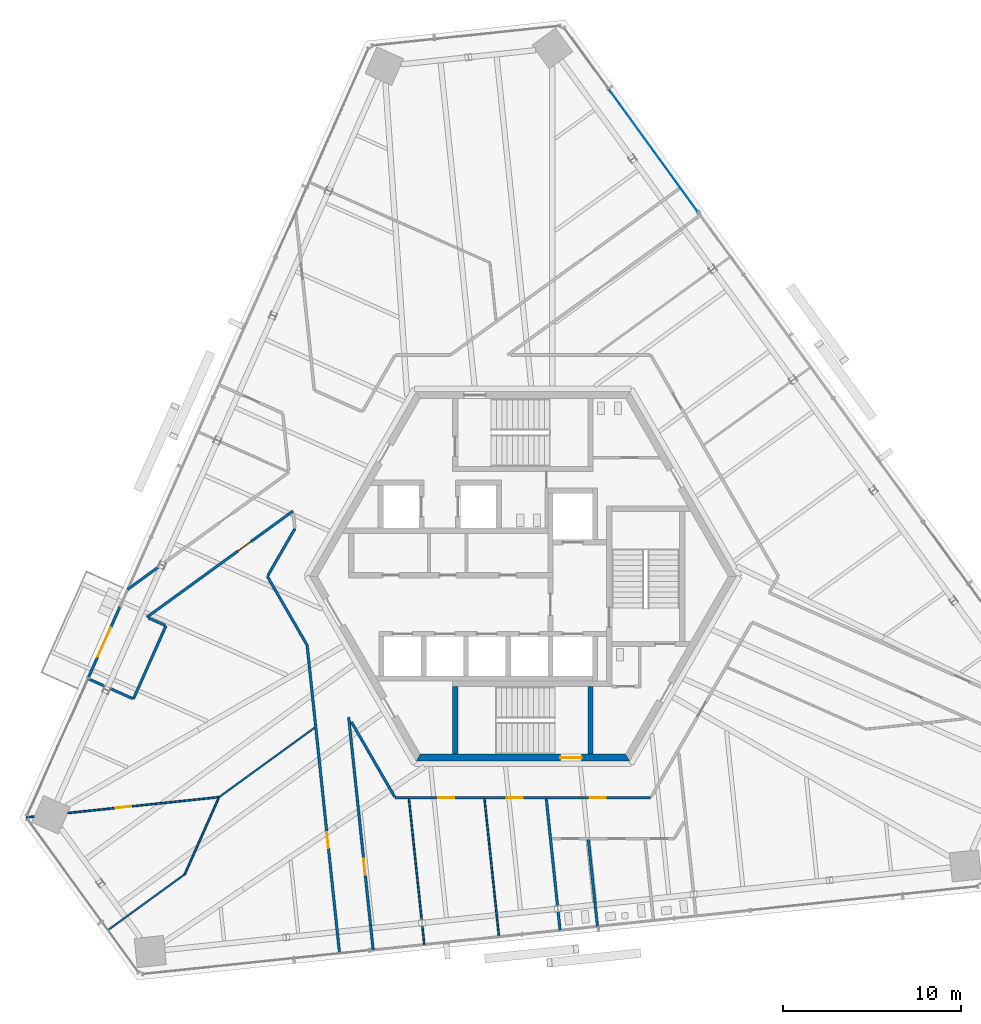
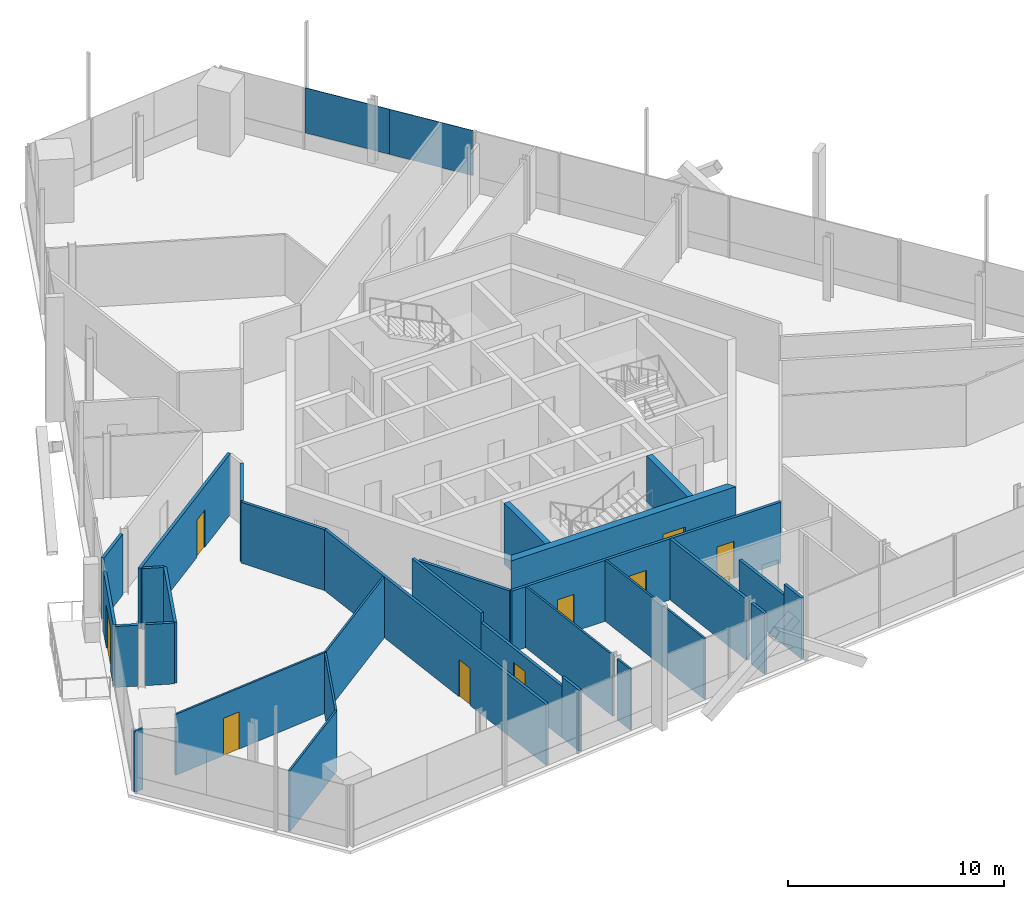
# One storey, part 10 of 20: 30 walls, 9 doors, 2 plates, 9 openings, 1 element without a shape of its own.
"""IFC4 building model written with IfcOpenShell, lengths in metres."""

import ifcopenshell
import ifcopenshell.guid

model = None  # the IFC model being written
_history = None  # IfcOwnerHistory: only IFC2X3 demands one
_inside = {}  # id of a spatial element -> (the spatial element, [elements in it])
_under = {}  # id of a project, library or spatial element -> (it, [spatial elements below it])
_declared = {}  # id of a project -> (the project, [libraries it declares])
_typed = {}  # id of a type object -> (the type object, [elements of that type])
_made_of = {}  # id of a material, layer set ... -> (it, [elements and type objects made of it])


def new_model(schema):
    """Start an empty IFC model of exactly this schema.

    Asked for "IFC4X3", IfcOpenShell would pick the latest addendum, in which some entities
    have other attributes; the version numbers below select the first issue.
    IFC2X3 requires an IfcOwnerHistory on every rooted entity: one is made here for all.
    """
    global model, _history
    if schema == "IFC4X3":
        model = ifcopenshell.file(schema_version=(4, 3, 0, 0))
    else:
        model = ifcopenshell.file(schema=schema)
    _inside.clear()
    _under.clear()
    _declared.clear()
    _typed.clear()
    _made_of.clear()
    _history = None
    if model.schema == "IFC2X3":
        org = make("IfcOrganization", Name="unknown")
        user = make(
            "IfcPersonAndOrganization",
            ThePerson=make("IfcPerson", FamilyName="unknown"),
            TheOrganization=org,
        )
        app = make(
            "IfcApplication",
            ApplicationDeveloper=org,
            Version="unknown",
            ApplicationFullName="unknown",
            ApplicationIdentifier="unknown",
        )
        _history = make(
            "IfcOwnerHistory",
            OwningUser=user,
            OwningApplication=app,
            ChangeAction="ADDED",
            CreationDate=0,
        )
    return model


def make(cls, **values):
    """One entity of the class cls with the attributes given. An attribute that is None is left unset."""
    return model.create_entity(
        cls, **{name: value for name, value in values.items() if value is not None}
    )


def rooted(cls, **values):
    """An entity with a GlobalId (a new one), such as an element, a storey or a relation."""
    return make(cls, GlobalId=ifcopenshell.guid.new(), OwnerHistory=_history, **values)


def si_unit(unit_type, name, prefix=None):
    """IfcSIUnit, for example si_unit("LENGTHUNIT", "METRE", prefix="MILLI")."""
    return make("IfcSIUnit", UnitType=unit_type, Prefix=prefix, Name=name)


def assignment(units):
    """IfcUnitAssignment: the units of a project."""
    return None if units is None else make("IfcUnitAssignment", Units=units)


def point(xyz):
    """IfcCartesianPoint."""
    return None if xyz is None else make("IfcCartesianPoint", Coordinates=xyz)


def direction(xyz):
    """IfcDirection."""
    return None if xyz is None else make("IfcDirection", DirectionRatios=xyz)


def frame(location, z_axis=None, x_axis=None):
    """IfcAxis2Placement3D, a coordinate frame: its origin and axes. An axis left out is left unset."""
    return make(
        "IfcAxis2Placement3D",
        Location=point(location),
        Axis=direction(z_axis),
        RefDirection=direction(x_axis),
    )


def frame_2d(location, x_axis=None):
    """IfcAxis2Placement2D, a coordinate frame in the plane: its origin and x axis."""
    return make(
        "IfcAxis2Placement2D", Location=point(location), RefDirection=direction(x_axis)
    )


def origin():
    """The frame at (0, 0, 0) with its axes left unset."""
    return frame((0.0, 0.0, 0.0))


def origin_2d():
    """The frame at (0, 0) in the plane with its x axis left unset."""
    return frame_2d((0.0, 0.0))


def place(relative_to, where):
    """IfcLocalPlacement: puts the frame where relative to a parent placement (None: the world)."""
    return make(
        "IfcLocalPlacement", PlacementRelTo=relative_to, RelativePlacement=where
    )


def context(
    kind, dimensions, precision=None, world=None, true_north=None, identifier=None
):
    """IfcGeometricRepresentationContext, for example the 3D "Model" context."""
    return make(
        "IfcGeometricRepresentationContext",
        ContextIdentifier=identifier,
        ContextType=kind,
        CoordinateSpaceDimension=dimensions,
        Precision=precision,
        WorldCoordinateSystem=world,
        TrueNorth=true_north,
    )


def subcontext(parent, identifier, kind, view, scale=None):
    """IfcGeometricRepresentationSubContext, for example "Body" below "Model"."""
    return make(
        "IfcGeometricRepresentationSubContext",
        ContextIdentifier=identifier,
        ContextType=kind,
        ParentContext=parent,
        TargetScale=scale,
        TargetView=view,
    )


def project(units=None, contexts=None):
    """IfcProject with its units and contexts."""
    return rooted(
        "IfcProject",
        Name="project",
        RepresentationContexts=contexts,
        UnitsInContext=assignment(units),
    )


def spatial(cls, under=None, at=None, **own):
    """A site, building, storey or space (cls), placed at a placement, below another one or the project."""
    s = rooted(cls, ObjectPlacement=at, **own)
    if under is not None:
        _under.setdefault(under.id(), (under, []))[1].append(s)
    return s


def polyline(points):
    """IfcPolyline through the points."""
    return make("IfcPolyline", Points=[point(p) for p in points])


def profile(cls, at=None, kind="AREA", **sizes):
    """A parametric profile (cls). Its sizes go by their IFC names, for example OverallWidth=200.0."""
    return make(cls, ProfileType=kind, Position=at, **sizes)


def rectangle(**sizes):
    """IfcRectangleProfileDef."""
    return profile("IfcRectangleProfileDef", **sizes)


def outline(outer, holes=None, kind="AREA"):
    """IfcArbitraryClosedProfileDef: a profile drawn as a closed curve; with holes, ...WithVoids."""
    if holes is None:
        return make("IfcArbitraryClosedProfileDef", ProfileType=kind, OuterCurve=outer)
    return make(
        "IfcArbitraryProfileDefWithVoids",
        ProfileType=kind,
        OuterCurve=outer,
        InnerCurves=holes,
    )


def extrude(swept, where, along, depth):
    """IfcExtrudedAreaSolid: the profile swept, set in the frame where, extruded along a direction by depth."""
    return make(
        "IfcExtrudedAreaSolid",
        SweptArea=swept,
        Position=where,
        ExtrudedDirection=direction(along),
        Depth=depth,
    )


def shape(context_of_items, identifier, shape_type, items):
    """IfcShapeRepresentation: the items that make up one representation, for example the "Body"."""
    return make(
        "IfcShapeRepresentation",
        ContextOfItems=context_of_items,
        RepresentationIdentifier=identifier,
        RepresentationType=shape_type,
        Items=items,
    )


def source(mapping_origin, context_of_items, identifier, shape_type, items):
    """IfcRepresentationMap: a shape defined once, which mapped items show again and again."""
    return make(
        "IfcRepresentationMap",
        MappingOrigin=mapping_origin,
        MappedRepresentation=shape(context_of_items, identifier, shape_type, items),
    )


def transform(
    local_origin,
    x_axis=None,
    y_axis=None,
    z_axis=None,
    scale=None,
    scale2=None,
    scale3=None,
    uniform=True,
):
    """IfcCartesianTransformationOperator3D, or its non-uniform kind. x_axis, y_axis, z_axis: its Axis1, 2, 3."""
    if uniform:
        return make(
            "IfcCartesianTransformationOperator3D",
            Axis1=direction(x_axis),
            Axis2=direction(y_axis),
            LocalOrigin=point(local_origin),
            Scale=scale,
            Axis3=direction(z_axis),
        )
    return make(
        "IfcCartesianTransformationOperator3DnonUniform",
        Axis1=direction(x_axis),
        Axis2=direction(y_axis),
        LocalOrigin=point(local_origin),
        Scale=scale,
        Axis3=direction(z_axis),
        Scale2=scale2,
        Scale3=scale3,
    )


def mapped(mapping_source, mapping_target):
    """IfcMappedItem: shows the shape of a source again, moved by a transform."""
    return make(
        "IfcMappedItem", MappingSource=mapping_source, MappingTarget=mapping_target
    )


def material(Name=None, Category=None):
    """IfcMaterial."""
    return make("IfcMaterial", Name=Name, Category=Category)


def layer(
    of_material, thickness, ventilated=None, Name=None, Category=None, Priority=None
):
    """IfcMaterialLayer: one layer of a wall or slab, of a material (None: an air gap)."""
    return make(
        "IfcMaterialLayer",
        Material=of_material,
        LayerThickness=thickness,
        IsVentilated=ventilated,
        Name=Name,
        Category=Category,
        Priority=Priority,
    )


def layer_set(layers, Name=None):
    """IfcMaterialLayerSet."""
    return make("IfcMaterialLayerSet", MaterialLayers=layers, LayerSetName=Name)


def made_of(thing, what):
    """Note that an element or type object is made of a material, layer set ...; save() writes the relation."""
    if what is not None:
        _made_of.setdefault(what.id(), (what, []))[1].append(thing)
    return thing


def type_object(cls, material=None, **own):
    """A type object (cls), such as IfcWallType, which elements share."""
    return made_of(rooted(cls, **own), material)


def element(
    cls,
    number,
    at=None,
    inside=None,
    cuts=None,
    type_object=None,
    material=None,
    context=None,
    identifier="Body",
    shape_type=None,
    held_by="IfcProductDefinitionShape",
    body=None,
    shapes=None,
    **own,
):
    """One element of the class cls, such as IfcWall. Its Tag is "e" and its number.

    at: its placement. inside: the storey or other place that contains it. cuts: it is an
    opening in that element (IfcRelVoidsElement). A single representation is given by context,
    identifier, shape_type and body (its items); several are given by shapes. held_by: the class
    of the entity that holds the representations. save() writes the other relations.
    """
    e = rooted(cls, Tag="e%d" % number, ObjectPlacement=at, **own)
    if body is not None:
        shapes = [shape(context, identifier, shape_type, body)]
    if shapes is not None:
        e.Representation = make(held_by, Representations=shapes)
    if inside is not None:
        _inside.setdefault(inside.id(), (inside, []))[1].append(e)
    if cuts is not None:
        rooted(
            "IfcRelVoidsElement", RelatingBuildingElement=cuts, RelatedOpeningElement=e
        )
    if type_object is not None:
        _typed.setdefault(type_object.id(), (type_object, []))[1].append(e)
    return made_of(e, material)


def fill(opening, filler):
    """IfcRelFillsElement: the door or window that sits in an opening."""
    return rooted(
        "IfcRelFillsElement",
        RelatingOpeningElement=opening,
        RelatedBuildingElement=filler,
    )


def aggregate(whole, parts):
    """IfcRelAggregates: a whole, such as a stair, and the parts it consists of."""
    return rooted("IfcRelAggregates", RelatingObject=whole, RelatedObjects=parts)


def save(model, path):
    """Write the relations noted so far, then the file.

    IfcRelAggregates (storeys below a building ...), IfcRelContainedInSpatialStructure (elements
    in a storey), IfcRelDefinesByType, IfcRelAssociatesMaterial and IfcRelDeclares: one each for
    every whole, place, type object, material and project.
    """
    for whole, parts in _under.values():
        aggregate(whole, parts)
    for where, things in _inside.values():
        rooted(
            "IfcRelContainedInSpatialStructure",
            RelatedElements=things,
            RelatingStructure=where,
        )
    for kind, things in _typed.values():
        rooted("IfcRelDefinesByType", RelatedObjects=things, RelatingType=kind)
    for what, things in _made_of.values():
        rooted("IfcRelAssociatesMaterial", RelatedObjects=things, RelatingMaterial=what)
    for by, libraries in _declared.values():
        rooted("IfcRelDeclares", RelatingContext=by, RelatedDefinitions=libraries)
    model.write(path)


model = new_model("IFC4")

# Units and contexts
model_context = context("Model", 3, precision=1e-05, world=origin(), true_north=direction((0.0, 1.0)))
body_context = subcontext(model_context, "Body", "Model", "MODEL_VIEW")
ifc_project = project(units=[si_unit("LENGTHUNIT", "METRE"), si_unit("AREAUNIT", "SQUARE_METRE"), si_unit("VOLUMEUNIT", "CUBIC_METRE"), si_unit("PLANEANGLEUNIT", "RADIAN"), si_unit("MASSUNIT", "GRAM", prefix="KILO")], contexts=[model_context])

# Site, building, storey
site_placement = place(None, origin())
site = spatial("IfcSite", under=ifc_project, at=site_placement, CompositionType="ELEMENT")
building_placement = place(site_placement, origin())
building = spatial("IfcBuilding", under=site, at=building_placement, Name="Triune Harvest Tower", CompositionType="ELEMENT")
storey_placement = place(building_placement, frame((0.0, 0.0, 234.10009765625)))
storey = spatial("IfcBuildingStorey", under=building, at=storey_placement, Name="L61", CompositionType="ELEMENT", Elevation=234.10009765625)

# Curtain wall, plates
ifc_material_1 = material(Name="Aluminium bronze anodised", Category="aluminium")
curtain_wall_type = type_object("IfcCurtainWallType", Name="CW-1 Tower stick curtain wall", PredefinedType="NOTDEFINED", material=ifc_material_1)
curtain_wall_placement = place(storey_placement, origin())
curtain_wall = element("IfcCurtainWall", 1, at=curtain_wall_placement, inside=storey, type_object=curtain_wall_type, Name="CW-1 B6-F1 L61 run 2001")
ifc_material_2 = material(Name="Glass", Category="glass")
ifc_layer_1 = layer(ifc_material_2, 0.031982421875)
ifc_layer_set_1 = layer_set([ifc_layer_1], Name="Glass")
plate_type = type_object("IfcPlateType", Name="GL-1 panel 32", PredefinedType="CURTAIN_PANEL", material=ifc_layer_set_1)
shared_shape_1 = source(origin(), body_context, "Body", "SweptSolid", [
    extrude(rectangle(XDim=4.22509765625, YDim=0.031982421875, at=origin_2d()), origin(), (0.0, 0.0, 1.0), 2.5400390625),
])
plate_1_placement = place(storey_placement, frame((8.57861328125, 22.224365234375, 0.89990234375), z_axis=(0.0, 0.0, 1.0), x_axis=(-0.587786226785, 0.809016286364, 0.0)))
plate_1 = element("IfcPlate", 2, at=plate_1_placement, type_object=plate_type, Name="CW-1 panel B6-F1 2001.1", PredefinedType="CURTAIN_PANEL", context=body_context, shape_type="MappedRepresentation", body=[
    mapped(shared_shape_1, transform((0.0, 0.0, 0.0), scale=1.0)),
])
shared_shape_2 = source(origin(), body_context, "Body", "SweptSolid", [
    extrude(rectangle(XDim=4.262451171875, YDim=0.031982421875, at=origin_2d()), origin(), (0.0, 0.0, 1.0), 2.5400390625),
])
plate_2_placement = place(storey_placement, frame((6.084228515625, 25.65771484375, 0.89990234375), z_axis=(0.0, 0.0, 1.0), x_axis=(-0.587786226785, 0.809016286364, 0.0)))
plate_2 = element("IfcPlate", 3, at=plate_2_placement, type_object=plate_type, Name="CW-1 panel B6-F1 2001.2", PredefinedType="CURTAIN_PANEL", context=body_context, shape_type="MappedRepresentation", body=[
    mapped(shared_shape_2, transform((0.0, 0.0, 0.0), scale=1.0)),
])
aggregate(curtain_wall, [plate_1, plate_2])

# Wall, opening, door
ifc_material_3 = material(Name="Gypsum board on steel studs", Category="steel")
ifc_layer_2 = layer(ifc_material_3, 0.14990234375)
ifc_layer_set_2 = layer_set([ifc_layer_2], Name="Gypsum board on steel studs")
wall_type_1 = type_object("IfcWallType", Name="Fire Partition 150 mm", PredefinedType="PARTITIONING", material=ifc_layer_set_2)
wall_1_placement = place(storey_placement, frame((-9.226806640625, -13.32666015625, 0.0), z_axis=(0.0, 0.0, 1.0), x_axis=(0.104560626719, -0.994518514327, 0.0)))
wall_1 = element("IfcWall", 4, at=wall_1_placement, inside=storey, type_object=wall_type_1, Name="Partition L61 005a", PredefinedType="PARTITIONING", context=body_context, shape_type="SweptSolid", body=[
    extrude(rectangle(XDim=6.34619140625, YDim=0.14990234375, at=frame_2d((3.173095703125, 0.0))), origin(), (0.0, 0.0, 1.0), 2.90380859375),
])
opening_1_placement = place(wall_1_placement, frame((2.564453125, 0.0, 0.0)))
opening_1 = element("IfcOpeningElement", 5, at=opening_1_placement, cuts=wall_1, Name="Opening L61-012", PredefinedType="OPENING", context=body_context, shape_type="SweptSolid", body=[
    extrude(rectangle(XDim=0.89990234375, YDim=2.10009765625, at=frame_2d((0.449951171875, 1.050048828125))), frame((0.0, 0.0849609375, 0.0), z_axis=(0.0, -1.0, 0.0), x_axis=(1.0, 0.0, 0.0)), (0.0, 0.0, 1.0), 0.169921875),
])
ifc_material_4 = material(Name="Timber and steel door set", Category="steel")
door_type_1 = type_object("IfcDoorType", Name="Single leaf door FD30 right hand 900 x 2100", OperationType="SINGLE_SWING_RIGHT", PredefinedType="DOOR", material=ifc_material_4)
door_1_placement = place(opening_1_placement, origin())
door_1 = element("IfcDoor", 6, at=door_1_placement, inside=storey, type_object=door_type_1, Name="Door L61-012 Meeting Room 61.12", OperationType="SINGLE_SWING_RIGHT", OverallHeight=2.10009765625, OverallWidth=0.89990234375, PredefinedType="DOOR", context=body_context, shape_type="SweptSolid", body=[
    extrude(rectangle(XDim=0.89990234375, YDim=2.10009765625, at=frame_2d((0.449951171875, 1.050048828125))), frame((0.0, 0.02490234375, 0.0), z_axis=(0.0, -1.0, 0.0), x_axis=(1.0, 0.0, 0.0)), (0.0, 0.0, 1.0), 0.050048828125),
])
fill(opening_1, door_1)

# Walls
wall_2_placement = place(storey_placement, frame((1.314208984375, -12.501953125, 0.0), z_axis=(0.0, 0.0, 1.0), x_axis=(0.104489400803, -0.994526000223, 0.0)))
element("IfcWall", 7, at=wall_2_placement, inside=storey, type_object=wall_type_1, Name="Partition L61 010", PredefinedType="PARTITIONING", context=body_context, shape_type="SweptSolid", body=[
    extrude(rectangle(XDim=6.04931640625, YDim=0.14990234375, at=frame_2d((3.024658203125, 0.0))), origin(), (0.0, 0.0, 1.0), 3.43994140625),
])
wall_3_placement = place(storey_placement, frame((3.67919921875, -14.802001953125, 0.0), z_axis=(0.0, 0.0, 1.0), x_axis=(0.104501176413, -0.994524762954, 0.0)))
element("IfcWall", 8, at=wall_3_placement, inside=storey, type_object=wall_type_1, Name="Partition L61 012", PredefinedType="PARTITIONING", context=body_context, shape_type="SweptSolid", body=[
    extrude(rectangle(XDim=3.530029296875, YDim=0.14990234375, at=frame_2d((1.76513671875, 0.0))), origin(), (0.0, 0.0, 1.0), 2.82763671875),
])
wall_4_placement = place(storey_placement, frame((-21.04345703125, -2.342529296875, 0.0), z_axis=(0.0, 0.0, 1.0), x_axis=(0.913534412434, -0.406761450115, 0.0)))
element("IfcWall", 9, at=wall_4_placement, inside=storey, type_object=wall_type_1, Name="Partition L61 021", PredefinedType="PARTITIONING", context=body_context, shape_type="SweptSolid", body=[
    extrude(rectangle(XDim=1.01806640625, YDim=0.14990234375, at=frame_2d((0.509033203125, 0.0))), origin(), (0.0, 0.0, 1.0), 3.43994140625),
])

# Wall, opening, door
wall_5_placement = place(storey_placement, frame((-21.14404296875, -2.2978515625, 0.0), z_axis=(0.0, 0.0, 1.0), x_axis=(0.809016541614, 0.587785875463, 0.0)))
wall_5 = element("IfcWall", 10, at=wall_5_placement, inside=storey, type_object=wall_type_1, Name="Partition L61 044", PredefinedType="PARTITIONING", context=body_context, shape_type="SweptSolid", body=[
    extrude(rectangle(XDim=10.160400390625, YDim=0.14990234375, at=frame_2d((5.080078125, 0.0))), origin(), (0.0, 0.0, 1.0), 3.43994140625),
])
opening_2_placement = place(wall_5_placement, frame((6.3369140625, 0.0, 0.0)))
opening_2 = element("IfcOpeningElement", 11, at=opening_2_placement, cuts=wall_5, Name="Opening L61-008", PredefinedType="OPENING", context=body_context, shape_type="SweptSolid", body=[
    extrude(rectangle(XDim=0.89990234375, YDim=2.10009765625, at=frame_2d((0.449951171875, 1.050048828125))), frame((0.0, 0.0849609375, 0.0), z_axis=(0.0, -1.0, 0.0), x_axis=(1.0, 0.0, 0.0)), (0.0, 0.0, 1.0), 0.169921875),
])
ifc_material_5 = material(Name="Timber and steel door set", Category="steel")
door_type_2 = type_object("IfcDoorType", Name="Single leaf door FD30 left hand 900 x 2100", OperationType="SINGLE_SWING_LEFT", PredefinedType="DOOR", material=ifc_material_5)
door_2_placement = place(opening_2_placement, origin())
door_2 = element("IfcDoor", 12, at=door_2_placement, inside=storey, type_object=door_type_2, Name="Door L61-008 Open Office 61.08", OperationType="SINGLE_SWING_LEFT", OverallHeight=2.10009765625, OverallWidth=0.89990234375, PredefinedType="DOOR", context=body_context, shape_type="SweptSolid", body=[
    extrude(rectangle(XDim=0.89990234375, YDim=2.10009765625, at=frame_2d((0.449951171875, 1.050048828125))), frame((0.0, 0.02490234375, 0.0), z_axis=(0.0, -1.0, 0.0), x_axis=(1.0, 0.0, 0.0)), (0.0, 0.0, 1.0), 0.050048828125),
])
fill(opening_2, door_2)

# Walls
wall_6_placement = place(storey_placement, frame((-21.898193359375, -6.8876953125, 0.0), z_axis=(0.0, 0.0, 1.0), x_axis=(0.406747482715, 0.913540631447, 0.0)))
element("IfcWall", 13, at=wall_6_placement, inside=storey, type_object=wall_type_1, Name="Partition L61 055", PredefinedType="PARTITIONING", context=body_context, shape_type="SweptSolid", body=[
    extrude(rectangle(XDim=4.5, YDim=0.14990234375, at=frame_2d((2.25, 0.0))), origin(), (0.0, 0.0, 1.0), 3.43994140625),
])
ifc_material_6 = material(Name="Gypsum board on steel studs", Category="steel")
ifc_layer_3 = layer(ifc_material_6, 0.10009765625)
ifc_layer_set_3 = layer_set([ifc_layer_3], Name="Gypsum board on steel studs")
wall_type_2 = type_object("IfcWallType", Name="Partition 100 mm", PredefinedType="PARTITIONING", material=ifc_layer_set_3)
wall_7_placement = place(storey_placement, frame((-2.16064453125, -12.501953125, 0.0), z_axis=(0.0, 0.0, 1.0), x_axis=(0.104503832311, -0.994524483878, 0.0)))
element("IfcWall", 14, at=wall_7_placement, inside=storey, type_object=wall_type_2, Name="Partition L61 008", PredefinedType="PARTITIONING", context=body_context, shape_type="SweptSolid", body=[
    extrude(rectangle(XDim=7.7958984375, YDim=0.10009765625, at=frame_2d((3.89794921875, 0.0))), origin(), (0.0, 0.0, 1.0), 3.43994140625),
])
wall_8_placement = place(storey_placement, frame((-23.328125, -19.885498046875, 0.0), z_axis=(0.0, 0.0, 1.0), x_axis=(0.809025134108, 0.587774048748, 0.0)))
element("IfcWall", 15, at=wall_8_placement, inside=storey, type_object=wall_type_2, Name="Partition L61 038", PredefinedType="PARTITIONING", context=body_context, shape_type="SweptSolid", body=[
    extrude(rectangle(XDim=5.330810546875, YDim=0.10009765625, at=frame_2d((2.66552734375, 0.0))), origin(), (0.0, 0.0, 1.0), 3.43994140625),
])
wall_9_placement = place(storey_placement, frame((-19.011474609375, -16.7431640625, 0.0), z_axis=(0.0, 0.0, 1.0), x_axis=(0.406734783036, 0.913546285783, 0.0)))
element("IfcWall", 16, at=wall_9_placement, inside=storey, type_object=wall_type_2, Name="Partition L61 054", PredefinedType="PARTITIONING", context=body_context, shape_type="SweptSolid", body=[
    extrude(rectangle(XDim=4.671630859375, YDim=0.10009765625, at=frame_2d((2.3359375, 0.0))), origin(), (0.0, 0.0, 1.0), 3.43994140625),
])

# Wall, opening, door
ifc_material_7 = material(Name="Concrete 70 MPa", Category="concrete")
ifc_layer_4 = layer(ifc_material_7, 0.39990234375)
ifc_layer_set_4 = layer_set([ifc_layer_4], Name="Concrete 70 MPa")
wall_type_3 = type_object("IfcWallType", Name="Core wall 400", PredefinedType="SHEAR", material=ifc_layer_set_4)
shared_shape_3 = source(origin(), body_context, "Body", "SweptSolid", [
    extrude(outline(polyline([(-0.115478515625, -0.199951171875), (11.884521484375, -0.199951171875), (11.653564453125, 0.199951171875), (0.115478515625, 0.199951171875), (-0.115478515625, -0.199951171875)])), origin(), (0.0, 0.0, 1.0), 3.43994140625),
])
wall_10_placement = place(storey_placement, frame((-5.884521484375, -10.1923828125, 0.0), z_axis=(0.0, 0.0, 1.0), x_axis=(1.0, 0.0, 0.0)))
wall_10 = element("IfcWall", 17, at=wall_10_placement, inside=storey, type_object=wall_type_3, Name="Hexagon 4 wall", PredefinedType="SHEAR", context=body_context, shape_type="MappedRepresentation", body=[
    mapped(shared_shape_3, transform((0.0, 0.0, 0.0), scale=1.0)),
])
opening_3_placement = place(wall_10_placement, frame((7.984619140625, 0.0, 0.0)))
opening_3 = element("IfcOpeningElement", 18, at=opening_3_placement, cuts=wall_10, Name="Opening CD-S2P", PredefinedType="OPENING", context=body_context, shape_type="SweptSolid", body=[
    extrude(rectangle(XDim=1.199951171875, YDim=2.10009765625, at=frame_2d((0.60009765625, 1.050048828125))), frame((0.0, 0.2099609375, 0.0), z_axis=(0.0, -1.0, 0.0), x_axis=(1.0, 0.0, 0.0)), (0.0, 0.0, 1.0), 0.419921875),
])
ifc_material_8 = material(Name="Steel S235", Category="steel")
door_type_3 = type_object("IfcDoorType", Name="Stair door 1200 FD120", OperationType="SINGLE_SWING_LEFT", PredefinedType="DOOR", material=ifc_material_8)
door_3_placement = place(opening_3_placement, frame((1.199951171875, 0.0, 0.0), z_axis=(0.0, 0.0, 1.0), x_axis=(-1.0, 0.0, 0.0)))
door_3 = element("IfcDoor", 19, at=door_3_placement, inside=storey, type_object=door_type_3, Name="Door CD-S2P", OperationType="SINGLE_SWING_RIGHT", OverallHeight=2.10009765625, OverallWidth=1.199951171875, PredefinedType="DOOR", context=body_context, shape_type="SweptSolid", body=[
    extrude(rectangle(XDim=1.199951171875, YDim=2.10009765625, at=frame_2d((0.60009765625, 1.050048828125))), frame((0.0, 0.02490234375, 0.0), z_axis=(0.0, -1.0, 0.0), x_axis=(1.0, 0.0, 0.0)), (0.0, 0.0, 1.0), 0.050048828125),
])
fill(opening_3, door_3)

# Walls
ifc_material_9 = material(Name="Concrete 70 MPa", Category="concrete")
ifc_layer_5 = layer(ifc_material_9, 0.300048828125)
ifc_layer_set_5 = layer_set([ifc_layer_5], Name="Concrete 70 MPa")
wall_type_4 = type_object("IfcWallType", Name="Core wall 300", PredefinedType="SHEAR", material=ifc_layer_set_5)
shared_shape_4 = source(origin(), body_context, "Body", "SweptSolid", [
    extrude(outline(polyline([(3.800048828125, -0.14990234375), (-0.00439453125, -0.14990234375), (-0.00439453125, 0.14990234375), (3.800048828125, 0.14990234375), (3.800048828125, -0.14990234375)])), origin(), (0.0, 0.0, 1.0), 3.43994140625),
])
for number, where, z_axis, x_axis, name in (
    (20, (-3.800048828125, -9.989990234375, 0.0), (0.0, 0.0, 1.0), (0.0, 1.0, 0.0), "Stair s west wall"),
    (21, (3.800048828125, -9.989990234375, 0.0), (0.0, 0.0, 1.0), (0.0, 1.0, 0.0), "Stair s east wall"),
):
    element("IfcWall", number, at=place(storey_placement, frame(where, z_axis=z_axis, x_axis=x_axis)), inside=storey, type_object=wall_type_4, Name=name, PredefinedType="SHEAR", context=body_context, shape_type="MappedRepresentation", body=[
        mapped(shared_shape_4, transform((0.0, 0.0, 0.0), scale=1.0)),
    ])

# Wall, opening, door
ifc_material_10 = material(Name="Aluminium bronze anodised", Category="aluminium")
ifc_layer_6 = layer(ifc_material_10, 0.14990234375)
ifc_layer_set_6 = layer_set([ifc_layer_6], Name="Aluminium bronze anodised")
wall_type_5 = type_object("IfcWallType", Name="WW-2 balcony window wall", PredefinedType="ELEMENTEDWALL", material=ifc_layer_set_6)
shared_shape_5 = source(origin(), body_context, "Body", "SweptSolid", [
    extrude(rectangle(XDim=4.31640625, YDim=0.14990234375, at=frame_2d((2.158203125, 0.0))), origin(), (0.0, 0.0, 1.0), 3.43994140625),
])
wall_11_placement = place(storey_placement, frame((-24.4189453125, -5.6650390625, 0.0), z_axis=(0.0, 0.0, 1.0), x_axis=(0.406789109961, 0.913522096075, 0.0)))
wall_11 = element("IfcWall", 22, at=wall_11_placement, inside=storey, type_object=wall_type_5, Name="WW-2 B6-F3 L61.9", PredefinedType="ELEMENTEDWALL", context=body_context, shape_type="MappedRepresentation", body=[
    mapped(shared_shape_5, transform((0.0, 0.0, 0.0), scale=1.0)),
])
opening_4_placement = place(wall_11_placement, frame((1.25830078125, 0.0, 0.0)))
opening_4 = element("IfcOpeningElement", 23, at=opening_4_placement, cuts=wall_11, Name="Opening L61-E01", PredefinedType="OPENING", context=body_context, shape_type="SweptSolid", body=[
    extrude(rectangle(XDim=1.800048828125, YDim=2.39990234375, at=frame_2d((0.89990234375, 1.199951171875))), frame((0.0, 0.0849609375, 0.0), z_axis=(0.0, -1.0, 0.0), x_axis=(1.0, 0.0, 0.0)), (0.0, 0.0, 1.0), 0.169921875),
])
ifc_material_11 = material(Name="Glass", Category="glass")
door_type_4 = type_object("IfcDoorType", Name="DB-1 balcony door 1800 x 2400", OperationType="DOUBLE_DOOR_SINGLE_SWING", PredefinedType="DOOR", material=ifc_material_11)
door_4_placement = place(opening_4_placement, origin())
door_4 = element("IfcDoor", 24, at=door_4_placement, inside=storey, type_object=door_type_4, Name="Door L61-E01", OperationType="DOUBLE_DOOR_SINGLE_SWING", OverallHeight=2.39990234375, OverallWidth=1.800048828125, PredefinedType="DOOR", context=body_context, shape_type="SweptSolid", body=[
    extrude(rectangle(XDim=1.800048828125, YDim=2.39990234375, at=frame_2d((0.89990234375, 1.199951171875))), frame((0.0, 0.02490234375, 0.0), z_axis=(0.0, -1.0, 0.0), x_axis=(1.0, 0.0, 0.0)), (0.0, 0.0, 1.0), 0.050048828125),
])
fill(opening_4, door_4)

# Wall, openings, doors
shared_shape_6 = source(origin(), body_context, "Body", "SweptSolid", [
    extrude(rectangle(XDim=14.3671875, YDim=0.14990234375, at=frame_2d((7.18359375, 0.0))), origin(), (0.0, 0.0, 1.0), 3.43994140625),
])
wall_12_placement = place(storey_placement, frame((-7.18359375, -12.4423828125, 0.0), z_axis=(0.0, 0.0, 1.0), x_axis=(1.0, 0.0, 0.0)))
wall_12 = element("IfcWall", 25, at=wall_12_placement, inside=storey, type_object=wall_type_1, Name="Partition L61 032", PredefinedType="PARTITIONING", context=body_context, shape_type="MappedRepresentation", body=[
    mapped(shared_shape_6, transform((0.0, 0.0, 0.0), scale=1.0)),
])
opening_5_placement = place(wall_12_placement, frame((2.419677734375, 0.0, 0.0)))
opening_5 = element("IfcOpeningElement", 26, at=opening_5_placement, cuts=wall_12, Name="Opening L61-013", PredefinedType="OPENING", context=body_context, shape_type="SweptSolid", body=[
    extrude(rectangle(XDim=0.89990234375, YDim=2.10009765625, at=frame_2d((0.449951171875, 1.050048828125))), frame((0.0, 0.0849609375, 0.0), z_axis=(0.0, -1.0, 0.0), x_axis=(1.0, 0.0, 0.0)), (0.0, 0.0, 1.0), 0.169921875),
])
opening_6_placement = place(wall_12_placement, frame((6.2666015625, 0.0, 0.0)))
opening_6 = element("IfcOpeningElement", 27, at=opening_6_placement, cuts=wall_12, Name="Opening L61-014", PredefinedType="OPENING", context=body_context, shape_type="SweptSolid", body=[
    extrude(rectangle(XDim=0.89990234375, YDim=2.10009765625, at=frame_2d((0.449951171875, 1.050048828125))), frame((0.0, 0.0849609375, 0.0), z_axis=(0.0, -1.0, 0.0), x_axis=(1.0, 0.0, 0.0)), (0.0, 0.0, 1.0), 0.169921875),
])
opening_7_placement = place(wall_12_placement, frame((10.94140625, 0.0, 0.0)))
opening_7 = element("IfcOpeningElement", 28, at=opening_7_placement, cuts=wall_12, Name="Opening L61-015", PredefinedType="OPENING", context=body_context, shape_type="SweptSolid", body=[
    extrude(rectangle(XDim=0.89990234375, YDim=2.10009765625, at=frame_2d((0.449951171875, 1.050048828125))), frame((0.0, 0.0849609375, 0.0), z_axis=(0.0, -1.0, 0.0), x_axis=(1.0, 0.0, 0.0)), (0.0, 0.0, 1.0), 0.169921875),
])
door_5_placement = place(opening_7_placement, origin())
door_5 = element("IfcDoor", 29, at=door_5_placement, inside=storey, type_object=door_type_2, Name="Door L61-015 WC lobby 61.15", OperationType="SINGLE_SWING_LEFT", OverallHeight=2.10009765625, OverallWidth=0.89990234375, PredefinedType="DOOR", context=body_context, shape_type="SweptSolid", body=[
    extrude(rectangle(XDim=0.89990234375, YDim=2.10009765625, at=frame_2d((0.449951171875, 1.050048828125))), frame((0.0, 0.02490234375, 0.0), z_axis=(0.0, -1.0, 0.0), x_axis=(1.0, 0.0, 0.0)), (0.0, 0.0, 1.0), 0.050048828125),
])
fill(opening_7, door_5)
door_6_placement = place(opening_5_placement, origin())
door_6 = element("IfcDoor", 30, at=door_6_placement, inside=storey, type_object=door_type_1, Name="Door L61-013 Office 61.13", OperationType="SINGLE_SWING_RIGHT", OverallHeight=2.10009765625, OverallWidth=0.89990234375, PredefinedType="DOOR", context=body_context, shape_type="SweptSolid", body=[
    extrude(rectangle(XDim=0.89990234375, YDim=2.10009765625, at=frame_2d((0.449951171875, 1.050048828125))), frame((0.0, 0.02490234375, 0.0), z_axis=(0.0, -1.0, 0.0), x_axis=(1.0, 0.0, 0.0)), (0.0, 0.0, 1.0), 0.050048828125),
])
fill(opening_5, door_6)
door_7_placement = place(opening_6_placement, origin())
door_7 = element("IfcDoor", 31, at=door_7_placement, inside=storey, type_object=door_type_1, Name="Door L61-014 Office 61.14", OperationType="SINGLE_SWING_RIGHT", OverallHeight=2.10009765625, OverallWidth=0.89990234375, PredefinedType="DOOR", context=body_context, shape_type="SweptSolid", body=[
    extrude(rectangle(XDim=0.89990234375, YDim=2.10009765625, at=frame_2d((0.449951171875, 1.050048828125))), frame((0.0, 0.02490234375, 0.0), z_axis=(0.0, -1.0, 0.0), x_axis=(1.0, 0.0, 0.0)), (0.0, 0.0, 1.0), 0.050048828125),
])
fill(opening_6, door_7)

# Walls
shared_shape_7 = source(origin(), body_context, "Body", "SweptSolid", [
    extrude(rectangle(XDim=1.0478515625, YDim=0.10009765625, at=frame_2d((0.52392578125, 0.0))), origin(), (0.0, 0.0, 1.0), 3.43994140625),
])
wall_13_placement = place(storey_placement, frame((-5.656005859375, -19.654541015625, 0.0), z_axis=(0.0, 0.0, 1.0), x_axis=(0.104624136351, -0.994511835069, 0.0)))
element("IfcWall", 32, at=wall_13_placement, inside=storey, type_object=wall_type_2, Name="Partition L61 007", PredefinedType="PARTITIONING", context=body_context, shape_type="MappedRepresentation", body=[
    mapped(shared_shape_7, transform((0.0, 0.0, 0.0), scale=1.0)),
])
shared_shape_8 = source(origin(), body_context, "Body", "SweptSolid", [
    extrude(rectangle(XDim=1.047607421875, YDim=0.14990234375, at=frame_2d((0.52392578125, 0.0))), origin(), (0.0, 0.0, 1.0), 3.43994140625),
])
wall_14_placement = place(storey_placement, frame((-24.4560546875, -5.7490234375, 0.0), z_axis=(0.0, 0.0, 1.0), x_axis=(0.91357112701, -0.406678983835, 0.0)))
element("IfcWall", 33, at=wall_14_placement, inside=storey, type_object=wall_type_1, Name="Partition L61 019", PredefinedType="PARTITIONING", context=body_context, shape_type="MappedRepresentation", body=[
    mapped(shared_shape_8, transform((0.0, 0.0, 0.0), scale=1.0)),
])
shared_shape_9 = source(origin(), body_context, "Body", "SweptSolid", [
    extrude(rectangle(XDim=1.0478515625, YDim=0.14990234375, at=frame_2d((0.52392578125, 0.0))), origin(), (0.0, 0.0, 1.0), 3.43994140625),
])
wall_15_placement = place(storey_placement, frame((1.9814453125, -18.851806640625, 0.0), z_axis=(0.0, 0.0, 1.0), x_axis=(0.104624136351, -0.994511835069, 0.0)))
element("IfcWall", 34, at=wall_15_placement, inside=storey, type_object=wall_type_1, Name="Partition L61 011", PredefinedType="PARTITIONING", context=body_context, shape_type="MappedRepresentation", body=[
    mapped(shared_shape_9, transform((0.0, 0.0, 0.0), scale=1.0)),
])

# Wall, opening, door
shared_shape_10 = source(origin(), body_context, "Body", "SweptSolid", [
    extrude(rectangle(XDim=17.4189453125, YDim=0.14990234375, at=frame_2d((8.70947265625, 0.0))), origin(), (0.0, 0.0, 1.0), 3.43994140625),
])
wall_16_placement = place(storey_placement, frame((-12.130859375, -3.87353515625, 0.0), z_axis=(0.0, 0.0, 1.0), x_axis=(0.104516247132, -0.99452317926, 0.0)))
wall_16 = element("IfcWall", 35, at=wall_16_placement, inside=storey, type_object=wall_type_1, Name="Partition L61 003", PredefinedType="PARTITIONING", context=body_context, shape_type="MappedRepresentation", body=[
    mapped(shared_shape_10, transform((0.0, 0.0, 0.0), scale=1.0)),
])
opening_8_placement = place(wall_16_placement, frame((10.564697265625, 0.0, 0.0)))
opening_8 = element("IfcOpeningElement", 36, at=opening_8_placement, cuts=wall_16, Name="Opening L61-011", PredefinedType="OPENING", context=body_context, shape_type="SweptSolid", body=[
    extrude(rectangle(XDim=0.89990234375, YDim=2.10009765625, at=frame_2d((0.449951171875, 1.050048828125))), frame((0.0, 0.0849609375, 0.0), z_axis=(0.0, -1.0, 0.0), x_axis=(1.0, 0.0, 0.0)), (0.0, 0.0, 1.0), 0.169921875),
])
door_8_placement = place(opening_8_placement, origin())
door_8 = element("IfcDoor", 37, at=door_8_placement, inside=storey, type_object=door_type_2, Name="Door L61-011 Office 61.11", OperationType="SINGLE_SWING_LEFT", OverallHeight=2.10009765625, OverallWidth=0.89990234375, PredefinedType="DOOR", context=body_context, shape_type="SweptSolid", body=[
    extrude(rectangle(XDim=0.89990234375, YDim=2.10009765625, at=frame_2d((0.449951171875, 1.050048828125))), frame((0.0, 0.02490234375, 0.0), z_axis=(0.0, -1.0, 0.0), x_axis=(1.0, 0.0, 0.0)), (0.0, 0.0, 1.0), 0.050048828125),
])
fill(opening_8, door_8)

# Walls
shared_shape_11 = source(origin(), body_context, "Body", "SweptSolid", [
    extrude(rectangle(XDim=5.437255859375, YDim=0.14990234375, at=frame_2d((2.71875, 0.0))), origin(), (0.0, 0.0, 1.0), 3.43994140625),
])
wall_17_placement = place(storey_placement, frame((-9.794921875, -7.919189453125, 0.0), z_axis=(0.0, 0.0, 1.0), x_axis=(0.104486108065, -0.994526346168, 0.0)))
element("IfcWall", 38, at=wall_17_placement, inside=storey, type_object=wall_type_1, Name="Partition L61 005", PredefinedType="PARTITIONING", context=body_context, shape_type="MappedRepresentation", body=[
    mapped(shared_shape_11, transform((0.0, 0.0, 0.0), scale=1.0)),
])
shared_shape_12 = source(origin(), body_context, "Body", "SweptSolid", [
    extrude(rectangle(XDim=1.3681640625, YDim=0.14990234375, at=frame_2d((0.68408203125, 0.0))), origin(), (0.0, 0.0, 1.0), 3.43994140625),
])
wall_18_placement = place(storey_placement, frame((-8.563232421875, -19.63818359375, 0.0), z_axis=(0.0, 0.0, 1.0), x_axis=(0.1043968058, -0.994535724315, 0.0)))
element("IfcWall", 39, at=wall_18_placement, inside=storey, type_object=wall_type_1, Name="Partition L61 005b", PredefinedType="PARTITIONING", context=body_context, shape_type="MappedRepresentation", body=[
    mapped(shared_shape_12, transform((0.0, 0.0, 0.0), scale=1.0)),
])
shared_shape_13 = source(origin(), body_context, "Body", "SweptSolid", [
    extrude(rectangle(XDim=6.8564453125, YDim=0.10009765625, at=frame_2d((3.42822265625, 0.0))), origin(), (0.0, 0.0, 1.0), 3.43994140625),
])
wall_19_placement = place(storey_placement, frame((-6.40771484375, -12.501953125, 0.0), z_axis=(0.0, 0.0, 1.0), x_axis=(0.104543913948, -0.994520271315, 0.0)))
element("IfcWall", 40, at=wall_19_placement, inside=storey, type_object=wall_type_2, Name="Partition L61 006", PredefinedType="PARTITIONING", context=body_context, shape_type="MappedRepresentation", body=[
    mapped(shared_shape_13, transform((0.0, 0.0, 0.0), scale=1.0)),
])
shared_shape_14 = source(origin(), body_context, "Body", "SweptSolid", [
    extrude(rectangle(XDim=4.462646484375, YDim=0.14990234375, at=frame_2d((2.2314453125, 0.0))), origin(), (0.0, 0.0, 1.0), 3.43994140625),
])
wall_20_placement = place(storey_placement, frame((-14.3671875, 0.0, 0.0), z_axis=(0.0, 0.0, 1.0), x_axis=(0.500022371132, -0.86601248742, 0.0)))
element("IfcWall", 41, at=wall_20_placement, inside=storey, type_object=wall_type_1, Name="Partition L61 016", PredefinedType="PARTITIONING", context=body_context, shape_type="MappedRepresentation", body=[
    mapped(shared_shape_14, transform((0.0, 0.0, 0.0), scale=1.0)),
])
shared_shape_15 = source(origin(), body_context, "Body", "SweptSolid", [
    extrude(rectangle(XDim=4.872802734375, YDim=0.14990234375, at=frame_2d((2.4365234375, 0.0))), origin(), (0.0, 0.0, 1.0), 3.43994140625),
])
wall_21_placement = place(storey_placement, frame((-9.64501953125, -8.178955078125, 0.0), z_axis=(0.0, 0.0, 1.0), x_axis=(0.500018810599, -0.866014543207, 0.0)))
element("IfcWall", 42, at=wall_21_placement, inside=storey, type_object=wall_type_1, Name="Partition L61 017", PredefinedType="PARTITIONING", context=body_context, shape_type="MappedRepresentation", body=[
    mapped(shared_shape_15, transform((0.0, 0.0, 0.0), scale=1.0)),
])
shared_shape_16 = source(origin(), body_context, "Body", "SweptSolid", [
    extrude(rectangle(XDim=0.46240234375, YDim=0.10009765625, at=frame_2d((0.231201171875, 0.0))), origin(), (0.0, 0.0, 1.0), 3.43994140625),
])
wall_22_placement = place(storey_placement, frame((-27.93017578125, -13.551513671875, 0.0), z_axis=(0.0, 0.0, 1.0), x_axis=(0.994522794159, 0.104519911488, 0.0)))
element("IfcWall", 43, at=wall_22_placement, inside=storey, type_object=wall_type_2, Name="Partition L61 035", PredefinedType="PARTITIONING", context=body_context, shape_type="MappedRepresentation", body=[
    mapped(shared_shape_16, transform((0.0, 0.0, 0.0), scale=1.0)),
])

# Wall, opening, door
shared_shape_17 = source(origin(), body_context, "Body", "SweptSolid", [
    extrude(rectangle(XDim=8.5625, YDim=0.10009765625, at=frame_2d((4.28125, 0.0))), origin(), (0.0, 0.0, 1.0), 3.43994140625),
])
wall_23_placement = place(storey_placement, frame((-25.598388671875, -13.306396484375, 0.0), z_axis=(0.0, 0.0, 1.0), x_axis=(0.994522001262, 0.104527455752, 0.0)))
wall_23 = element("IfcWall", 44, at=wall_23_placement, inside=storey, type_object=wall_type_2, Name="Partition L61 036", PredefinedType="PARTITIONING", context=body_context, shape_type="MappedRepresentation", body=[
    mapped(shared_shape_17, transform((0.0, 0.0, 0.0), scale=1.0)),
])
opening_9_placement = place(wall_23_placement, frame((2.705322265625, 0.0, 0.0)))
opening_9 = element("IfcOpeningElement", 45, at=opening_9_placement, cuts=wall_23, Name="Opening L61-010", PredefinedType="OPENING", context=body_context, shape_type="SweptSolid", body=[
    extrude(rectangle(XDim=0.89990234375, YDim=2.10009765625, at=frame_2d((0.449951171875, 1.050048828125))), frame((0.0, 0.06005859375, 0.0), z_axis=(0.0, -1.0, 0.0), x_axis=(1.0, 0.0, 0.0)), (0.0, 0.0, 1.0), 0.1201171875),
])
ifc_material_12 = material(Name="Timber and steel door set", Category="steel")
door_type_5 = type_object("IfcDoorType", Name="Single leaf door right hand 900 x 2100", OperationType="SINGLE_SWING_RIGHT", PredefinedType="DOOR", material=ifc_material_12)
door_9_placement = place(opening_9_placement, origin())
door_9 = element("IfcDoor", 46, at=door_9_placement, inside=storey, type_object=door_type_5, Name="Door L61-010 Reception 61.10", OperationType="SINGLE_SWING_RIGHT", OverallHeight=2.10009765625, OverallWidth=0.89990234375, PredefinedType="DOOR", context=body_context, shape_type="SweptSolid", body=[
    extrude(rectangle(XDim=0.89990234375, YDim=2.10009765625, at=frame_2d((0.449951171875, 1.050048828125))), frame((0.0, 0.02490234375, 0.0), z_axis=(0.0, -1.0, 0.0), x_axis=(1.0, 0.0, 0.0)), (0.0, 0.0, 1.0), 0.050048828125),
])
fill(opening_9, door_9)

# Walls
shared_shape_18 = source(origin(), body_context, "Body", "SweptSolid", [
    extrude(rectangle(XDim=6.617431640625, YDim=0.10009765625, at=frame_2d((3.30859375, 0.0))), origin(), (0.0, 0.0, 1.0), 3.43994140625),
])
wall_24_placement = place(storey_placement, frame((-17.07470703125, -12.405517578125, 0.0), z_axis=(0.0, 0.0, 1.0), x_axis=(0.809010407459, 0.587794318298, 0.0)))
element("IfcWall", 47, at=wall_24_placement, inside=storey, type_object=wall_type_2, Name="Partition L61 039", PredefinedType="PARTITIONING", context=body_context, shape_type="MappedRepresentation", body=[
    mapped(shared_shape_18, transform((0.0, 0.0, 0.0), scale=1.0)),
])
shared_shape_19 = source(origin(), body_context, "Body", "SweptSolid", [
    extrude(rectangle(XDim=1.367919921875, YDim=0.14990234375, at=frame_2d((0.68408203125, 0.0))), origin(), (0.0, 0.0, 1.0), 3.43994140625),
])
wall_25_placement = place(storey_placement, frame((4.048095703125, -18.312744140625, 0.0), z_axis=(0.0, 0.0, 1.0), x_axis=(0.104591874359, -0.99451522855, 0.0)))
element("IfcWall", 48, at=wall_25_placement, inside=storey, type_object=wall_type_1, Name="Partition L61 012a", PredefinedType="PARTITIONING", context=body_context, shape_type="MappedRepresentation", body=[
    mapped(shared_shape_19, transform((0.0, 0.0, 0.0), scale=1.0)),
])
shared_shape_20 = source(origin(), body_context, "Body", "SweptSolid", [
    extrude(rectangle(XDim=2.14208984375, YDim=0.14990234375, at=frame_2d((1.071044921875, 0.0))), origin(), (0.0, 0.0, 1.0), 3.43994140625),
])
wall_26_placement = place(storey_placement, frame((-22.222900390625, -0.733154296875, 0.0), z_axis=(0.0, 0.0, 1.0), x_axis=(0.809016932792, 0.587785337054, 0.0)))
element("IfcWall", 49, at=wall_26_placement, inside=storey, type_object=wall_type_1, Name="Partition L61 046", PredefinedType="PARTITIONING", context=body_context, shape_type="MappedRepresentation", body=[
    mapped(shared_shape_20, transform((0.0, 0.0, 0.0), scale=1.0)),
])
shared_shape_21 = source(origin(), body_context, "Body", "SweptSolid", [
    extrude(rectangle(XDim=3.045166015625, YDim=0.14990234375, at=frame_2d((1.5224609375, 0.0))), origin(), (0.0, 0.0, 1.0), 3.43994140625),
])
wall_27_placement = place(storey_placement, frame((-14.342041015625, 0.04345703125, 0.0), z_axis=(0.0, 0.0, 1.0), x_axis=(0.499967672858, 0.866044067064, 0.0)))
element("IfcWall", 50, at=wall_27_placement, inside=storey, type_object=wall_type_1, Name="Partition L61 052", PredefinedType="PARTITIONING", context=body_context, shape_type="MappedRepresentation", body=[
    mapped(shared_shape_21, transform((0.0, 0.0, 0.0), scale=1.0)),
])
shared_shape_22 = source(origin(), body_context, "Body", "SweptSolid", [
    extrude(rectangle(XDim=1.36669921875, YDim=0.14990234375, at=frame_2d((0.683349609375, 0.0))), origin(), (0.0, 0.0, 1.0), 3.43994140625),
])
wall_28_placement = place(storey_placement, frame((-23.1923828125, -6.3115234375, 0.0), z_axis=(0.0, 0.0, 1.0), x_axis=(0.913538786531, -0.406751626307, 0.0)))
element("IfcWall", 51, at=wall_28_placement, inside=storey, type_object=wall_type_1, Name="Partition L61 020", PredefinedType="PARTITIONING", context=body_context, shape_type="MappedRepresentation", body=[
    mapped(shared_shape_22, transform((0.0, 0.0, 0.0), scale=1.0)),
])

save(model, "model.ifc")
